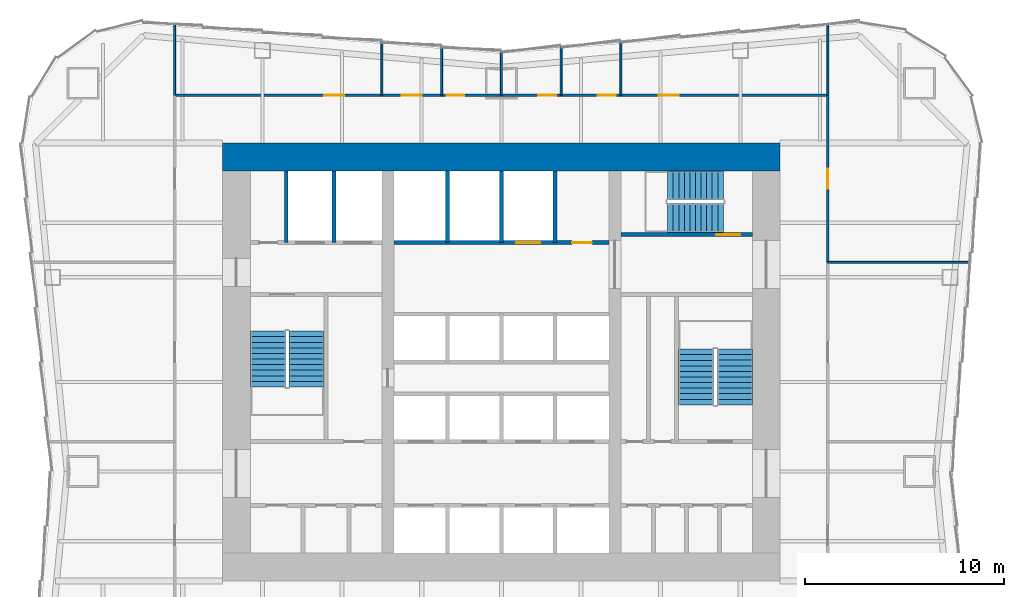
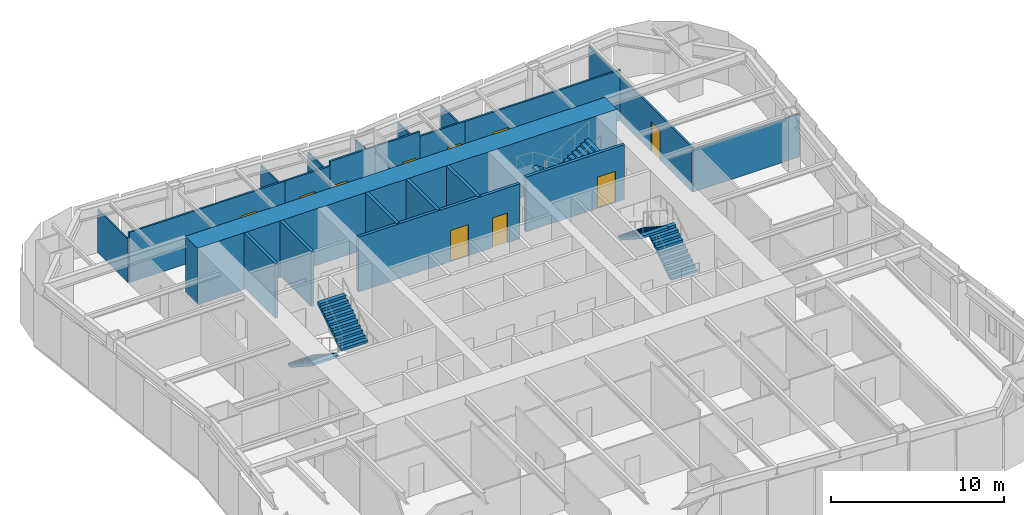
# One storey, part 6 of 8: 23 walls, 10 doors, 6 stair flights, 10 openings, 3 elements without a shape of their own.
"""IFC4 building model written with IfcOpenShell, lengths in metres."""

from ifc_helpers import new_model, si_unit, direction, frame, frame_2d, origin, place, context, subcontext, project, spatial, polyline, rectangle, outline, extrude, material, layer, layer_set, type_object, element, fill, aggregate, save


model = new_model("IFC4")

# Units and contexts
model_context = context("Model", 3, precision=1e-05, world=origin(), true_north=direction((0.0, 1.0)))
body_context = subcontext(model_context, "Body", "Model", "MODEL_VIEW")
ifc_project = project(units=[si_unit("LENGTHUNIT", "METRE"), si_unit("AREAUNIT", "SQUARE_METRE"), si_unit("VOLUMEUNIT", "CUBIC_METRE"), si_unit("PLANEANGLEUNIT", "RADIAN"), si_unit("MASSUNIT", "GRAM", prefix="KILO")], contexts=[model_context])

# Site, building, storey
site_placement = place(None, origin())
site = spatial("IfcSite", under=ifc_project, at=site_placement, CompositionType="ELEMENT")
building_placement = place(site_placement, origin())
building = spatial("IfcBuilding", under=site, at=building_placement, Name="Verdant Reach Tower", CompositionType="ELEMENT")
storey_placement = place(building_placement, frame((0.0, 0.0, 42.0)))
storey = spatial("IfcBuildingStorey", under=building, at=storey_placement, Name="L09", CompositionType="ELEMENT", Elevation=42.0)

# Wall, openings, doors
ifc_material_1 = material(Name="Concrete C40/50", Category="concrete")
ifc_layer_1 = layer(ifc_material_1, 0.199951171875)
ifc_layer_set_1 = layer_set([ifc_layer_1], Name="CO-WALL-SHAFT")
wall_type_1 = type_object("IfcWallType", Name="CO-WALL-SHAFT", PredefinedType="PARTITIONING", material=ifc_layer_set_1)
wall_1_placement = place(storey_placement, frame((-5.39990234375, 34.0, 0.0), z_axis=(0.0, 0.0, 1.0), x_axis=(1.0, 0.0, 0.0)))
wall_1 = element("IfcWall", 1, at=wall_1_placement, inside=storey, type_object=wall_type_1, Name="Lift shaft wall, L09", PredefinedType="PARTITIONING", context=body_context, shape_type="SweptSolid", body=[
    extrude(rectangle(XDim=10.7998046875, YDim=0.199951171875, at=frame_2d((5.39990234375, 0.0))), origin(), (0.0, 0.0, 1.0), 3.8701171875),
])
opening_1_placement = place(wall_1_placement, frame((6.14990234375, 0.0, 0.0)))
opening_1 = element("IfcOpeningElement", 2, at=opening_1_placement, cuts=wall_1, Name="Opening LD-SL1", PredefinedType="OPENING", context=body_context, shape_type="SweptSolid", body=[
    extrude(rectangle(XDim=1.199951171875, YDim=2.199951171875, at=frame_2d((0.60009765625, 1.10009765625))), frame((0.0, 0.10986328125, 0.0), z_axis=(0.0, -1.0, 0.0), x_axis=(1.0, 0.0, 0.0)), (0.0, 0.0, 1.0), 0.219970703125),
])
opening_2_placement = place(wall_1_placement, frame((8.949951171875, 0.0, 0.0)))
opening_2 = element("IfcOpeningElement", 3, at=opening_2_placement, cuts=wall_1, Name="Opening CD", PredefinedType="OPENING", context=body_context, shape_type="SweptSolid", body=[
    extrude(rectangle(XDim=1.0, YDim=2.10009765625, at=frame_2d((0.5, 1.050048828125))), frame((0.0, 0.10986328125, 0.0), z_axis=(0.0, -1.0, 0.0), x_axis=(1.0, 0.0, 0.0)), (0.0, 0.0, 1.0), 0.219970703125),
])
ifc_material_2 = material(Name="Stainless steel", Category="steel")
door_type_1 = type_object("IfcDoorType", Name="CO-DOOR-LANDING", OperationType="SLIDING_TO_LEFT", PredefinedType="DOOR", material=ifc_material_2)
door_1_placement = place(opening_1_placement, origin())
door_1 = element("IfcDoor", 4, at=door_1_placement, inside=storey, type_object=door_type_1, Name="Landing door SL1, L09", OperationType="SLIDING_TO_LEFT", OverallHeight=2.199951171875, OverallWidth=1.199951171875, PredefinedType="DOOR", context=body_context, shape_type="SweptSolid", body=[
    extrude(rectangle(XDim=1.199951171875, YDim=2.199951171875, at=frame_2d((0.60009765625, 1.10009765625))), frame((0.0, 0.02490234375, 0.0), z_axis=(0.0, -1.0, 0.0), x_axis=(1.0, 0.0, 0.0)), (0.0, 0.0, 1.0), 0.050048828125),
])
fill(opening_1, door_1)
ifc_material_3 = material(Name="Timber", Category="wood")
door_type_2 = type_object("IfcDoorType", Name="CO-DOOR-ROOM", OperationType="NOTDEFINED", PredefinedType="DOOR", material=ifc_material_3)
door_2_placement = place(opening_2_placement, origin())
door_2 = element("IfcDoor", 5, at=door_2_placement, inside=storey, type_object=door_type_2, Name="Core room door, L09", OperationType="SINGLE_SWING_LEFT", OverallHeight=2.10009765625, OverallWidth=1.0, PredefinedType="DOOR", context=body_context, shape_type="SweptSolid", body=[
    extrude(rectangle(XDim=1.0, YDim=2.10009765625, at=frame_2d((0.5, 1.050048828125))), frame((0.0, 0.02490234375, 0.0), z_axis=(0.0, -1.0, 0.0), x_axis=(1.0, 0.0, 0.0)), (0.0, 0.0, 1.0), 0.050048828125),
])
fill(opening_2, door_2)

# Walls
for number, where, z_axis, x_axis, name in (
    (6, (-10.800048828125, 34.0, 0.0), (0.0, 0.0, 1.0), (0.0, 1.0, 0.0), "Lift shaft wall, L09"),
    (7, (-8.39990234375, 34.0, 0.0), (0.0, 0.0, 1.0), (0.0, 1.0, 0.0), "Lift shaft wall, L09"),
    (8, (-2.699951171875, 34.0, 0.0), (0.0, 0.0, 1.0), (0.0, 1.0, 0.0), "Lift shaft wall, L09"),
    (9, (0.0, 34.0, 0.0), (0.0, 0.0, 1.0), (0.0, 1.0, 0.0), "Lift shaft wall, L09"),
    (10, (2.699951171875, 34.0, 0.0), (0.0, 0.0, 1.0), (0.0, 1.0, 0.0), "Lift shaft wall, L09"),
):
    element("IfcWall", number, at=place(storey_placement, frame(where, z_axis=z_axis, x_axis=x_axis)), inside=storey, type_object=wall_type_1, Name=name, PredefinedType="PARTITIONING", context=body_context, shape_type="SweptSolid", body=[
        extrude(rectangle(XDim=3.60009765625, YDim=0.199951171875, at=frame_2d((1.800048828125, 0.0))), origin(), (0.0, 0.0, 1.0), 3.8701171875),
    ])

# Wall, opening, door
ifc_layer_2 = layer(ifc_material_1, 0.199951171875)
ifc_layer_set_2 = layer_set([ifc_layer_2], Name="CO-WALL-STAIR")
wall_type_2 = type_object("IfcWallType", Name="CO-WALL-STAIR", PredefinedType="PARTITIONING", material=ifc_layer_set_2)
wall_2_placement = place(storey_placement, frame((6.0, 34.39990234375, 0.0), z_axis=(0.0, 0.0, 1.0), x_axis=(1.0, 0.0, 0.0)))
wall_2 = element("IfcWall", 11, at=wall_2_placement, inside=storey, type_object=wall_type_2, Name="Stair enclosure wall, L09", PredefinedType="PARTITIONING", context=body_context, shape_type="SweptSolid", body=[
    extrude(rectangle(XDim=6.60009765625, YDim=0.199951171875, at=frame_2d((3.300048828125, 0.0))), origin(), (0.0, 0.0, 1.0), 3.8701171875),
])
opening_3_placement = place(wall_2_placement, frame((4.800048828125, 0.0, 0.0)))
opening_3 = element("IfcOpeningElement", 12, at=opening_3_placement, cuts=wall_2, Name="Opening SD", PredefinedType="OPENING", context=body_context, shape_type="SweptSolid", body=[
    extrude(rectangle(XDim=1.199951171875, YDim=2.199951171875, at=frame_2d((0.60009765625, 1.10009765625))), frame((0.0, 0.10986328125, 0.0), z_axis=(0.0, -1.0, 0.0), x_axis=(1.0, 0.0, 0.0)), (0.0, 0.0, 1.0), 0.219970703125),
])
ifc_material_4 = material(Name="Steel", Category="steel")
door_type_3 = type_object("IfcDoorType", Name="CO-DOOR-STAIR", OperationType="NOTDEFINED", PredefinedType="DOOR", material=ifc_material_4)
door_3_placement = place(opening_3_placement, origin())
door_3 = element("IfcDoor", 13, at=door_3_placement, inside=storey, type_object=door_type_3, Name="Stair door, L09", OperationType="SINGLE_SWING_RIGHT", OverallHeight=2.199951171875, OverallWidth=1.199951171875, PredefinedType="DOOR", context=body_context, shape_type="SweptSolid", body=[
    extrude(rectangle(XDim=1.199951171875, YDim=2.199951171875, at=frame_2d((0.60009765625, 1.10009765625))), frame((0.0, 0.02490234375, 0.0), z_axis=(0.0, -1.0, 0.0), x_axis=(1.0, 0.0, 0.0)), (0.0, 0.0, 1.0), 0.050048828125),
])
fill(opening_3, door_3)

# Walls
ifc_material_5 = material(Name="Gypsum board on steel studs", Category="steel")
ifc_layer_3 = layer(ifc_material_5, 0.10009765625)
ifc_layer_set_3 = layer_set([ifc_layer_3], Name="FL-W1 Partition 100")
wall_type_3 = type_object("IfcWallType", Name="FL-W1 Partition 100", PredefinedType="PARTITIONING", material=ifc_layer_set_3)
wall_3_placement = place(storey_placement, frame((-6.0, 41.39990234375, 0.0), z_axis=(0.0, 0.0, 1.0), x_axis=(0.0, 1.0, 0.0)))
element("IfcWall", 14, at=wall_3_placement, inside=storey, type_object=wall_type_3, Name="Partition 09.37", PredefinedType="PARTITIONING", context=body_context, shape_type="SweptSolid", body=[
    extrude(rectangle(XDim=2.68017578125, YDim=0.10009765625, at=frame_2d((1.340087890625, 0.0))), origin(), (0.0, 0.0, 1.0), 3.0400390625),
])
wall_4_placement = place(storey_placement, frame((-16.39990234375, 44.94677734375, 0.0), z_axis=(0.0, 0.0, 1.0), x_axis=(0.0, -1.0, 0.0)))
element("IfcWall", 15, at=wall_4_placement, inside=storey, type_object=wall_type_3, Name="Partition 09.38", PredefinedType="PARTITIONING", context=body_context, shape_type="SweptSolid", body=[
    extrude(rectangle(XDim=3.55078125, YDim=0.10009765625, at=frame_2d((1.775390625, 0.0))), origin(), (0.0, 0.0, 1.0), 3.0400390625),
])
wall_5_placement = place(storey_placement, frame((-3.0, 41.39990234375, 0.0), z_axis=(0.0, 0.0, 1.0), x_axis=(0.0, 1.0, 0.0)))
element("IfcWall", 16, at=wall_5_placement, inside=storey, type_object=wall_type_3, Name="Partition 09.39", PredefinedType="PARTITIONING", context=body_context, shape_type="SweptSolid", body=[
    extrude(rectangle(XDim=2.43017578125, YDim=0.10009765625, at=frame_2d((1.215087890625, 0.0))), origin(), (0.0, 0.0, 1.0), 3.0400390625),
])
wall_6_placement = place(storey_placement, frame((0.0, 41.39990234375, 0.0), z_axis=(0.0, 0.0, 1.0), x_axis=(0.0, 1.0, 0.0)))
element("IfcWall", 17, at=wall_6_placement, inside=storey, type_object=wall_type_3, Name="Partition 09.40", PredefinedType="PARTITIONING", context=body_context, shape_type="SweptSolid", body=[
    extrude(rectangle(XDim=2.18017578125, YDim=0.10009765625, at=frame_2d((1.090087890625, 0.0))), origin(), (0.0, 0.0, 1.0), 3.0400390625),
])
wall_7_placement = place(storey_placement, frame((3.0, 41.39990234375, 0.0), z_axis=(0.0, 0.0, 1.0), x_axis=(0.0, 1.0, 0.0)))
element("IfcWall", 18, at=wall_7_placement, inside=storey, type_object=wall_type_3, Name="Partition 09.41", PredefinedType="PARTITIONING", context=body_context, shape_type="SweptSolid", body=[
    extrude(rectangle(XDim=2.43017578125, YDim=0.10009765625, at=frame_2d((1.215087890625, 0.0))), origin(), (0.0, 0.0, 1.0), 3.0400390625),
])
wall_8_placement = place(storey_placement, frame((6.0, 41.39990234375, 0.0), z_axis=(0.0, 0.0, 1.0), x_axis=(0.0, 1.0, 0.0)))
element("IfcWall", 19, at=wall_8_placement, inside=storey, type_object=wall_type_3, Name="Partition 09.42", PredefinedType="PARTITIONING", context=body_context, shape_type="SweptSolid", body=[
    extrude(rectangle(XDim=2.68017578125, YDim=0.10009765625, at=frame_2d((1.340087890625, 0.0))), origin(), (0.0, 0.0, 1.0), 3.0400390625),
])
wall_9_placement = place(storey_placement, frame((16.39990234375, 41.39599609375, 0.0), z_axis=(0.0, 0.0, 1.0), x_axis=(0.0, 1.0, 0.0)))
element("IfcWall", 20, at=wall_9_placement, inside=storey, type_object=wall_type_3, Name="Partition 09.43", PredefinedType="PARTITIONING", context=body_context, shape_type="SweptSolid", body=[
    extrude(rectangle(XDim=3.55078125, YDim=0.10009765625, at=frame_2d((1.775390625, 0.0))), origin(), (0.0, 0.0, 1.0), 3.0400390625),
])
wall_10_placement = place(storey_placement, frame((23.534423828125, 33.0, 0.0), z_axis=(0.0, 0.0, 1.0), x_axis=(-1.0, 0.0, 0.0)))
element("IfcWall", 21, at=wall_10_placement, inside=storey, type_object=wall_type_3, Name="Partition 09.47", PredefinedType="PARTITIONING", context=body_context, shape_type="SweptSolid", body=[
    extrude(rectangle(XDim=7.134521484375, YDim=0.10009765625, at=frame_2d((3.5673828125, 0.0))), origin(), (0.0, 0.0, 1.0), 3.0400390625),
])

# Wall, opening, door
ifc_material_6 = material(Name="Gypsum board on steel studs, fire rated", Category="steel")
ifc_layer_4 = layer(ifc_material_6, 0.125)
ifc_layer_set_4 = layer_set([ifc_layer_4], Name="FL-W2 Corridor wall 125")
wall_type_4 = type_object("IfcWallType", Name="FL-W2 Corridor wall 125", PredefinedType="PARTITIONING", material=ifc_layer_set_4)
wall_11_placement = place(storey_placement, frame((-16.39990234375, 41.39990234375, 0.0), z_axis=(0.0, 0.0, 1.0), x_axis=(1.0, 0.0, 0.0)))
wall_11 = element("IfcWall", 22, at=wall_11_placement, inside=storey, type_object=wall_type_4, Name="Partition 09.07", PredefinedType="PARTITIONING", context=body_context, shape_type="SweptSolid", body=[
    extrude(rectangle(XDim=10.39990234375, YDim=0.125, at=frame_2d((5.199951171875, 0.0))), origin(), (0.0, 0.0, 1.0), 3.5400390625),
])
opening_4_placement = place(wall_11_placement, frame((7.5, 0.0, 0.0)))
opening_4 = element("IfcOpeningElement", 23, at=opening_4_placement, cuts=wall_11, Name="Opening D2", PredefinedType="OPENING", context=body_context, shape_type="SweptSolid", body=[
    extrude(rectangle(XDim=1.0, YDim=2.10009765625, at=frame_2d((0.5, 1.050048828125))), frame((0.0, 0.072509765625, 0.0), z_axis=(0.0, -1.0, 0.0), x_axis=(1.0, 0.0, 0.0)), (0.0, 0.0, 1.0), 0.14501953125),
])
ifc_material_7 = material(Name="Timber door leaf, fire rated", Category="wood")
door_type_4 = type_object("IfcDoorType", Name="FL-D2 Entrance door 1000x2100 FD30", OperationType="NOTDEFINED", PredefinedType="DOOR", material=ifc_material_7)
door_4_placement = place(opening_4_placement, origin())
door_4 = element("IfcDoor", 24, at=door_4_placement, inside=storey, type_object=door_type_4, Name="Door 09-005", OperationType="SINGLE_SWING_RIGHT", OverallHeight=2.10009765625, OverallWidth=1.0, PredefinedType="DOOR", context=body_context, shape_type="SweptSolid", body=[
    extrude(rectangle(XDim=1.0, YDim=2.10009765625, at=frame_2d((0.5, 1.050048828125))), frame((0.0, 0.02490234375, 0.0), z_axis=(0.0, -1.0, 0.0), x_axis=(1.0, 0.0, 0.0)), (0.0, 0.0, 1.0), 0.050048828125),
])
fill(opening_4, door_4)

wall_12_placement = place(storey_placement, frame((-6.0, 41.39990234375, 0.0), z_axis=(0.0, 0.0, 1.0), x_axis=(1.0, 0.0, 0.0)))
wall_12 = element("IfcWall", 25, at=wall_12_placement, inside=storey, type_object=wall_type_4, Name="Partition 09.08", PredefinedType="PARTITIONING", context=body_context, shape_type="SweptSolid", body=[
    extrude(rectangle(XDim=3.0, YDim=0.125, at=frame_2d((1.5, 0.0))), origin(), (0.0, 0.0, 1.0), 3.5400390625),
])
opening_5_placement = place(wall_12_placement, frame((1.0, 0.0, 0.0)))
opening_5 = element("IfcOpeningElement", 26, at=opening_5_placement, cuts=wall_12, Name="Opening D2", PredefinedType="OPENING", context=body_context, shape_type="SweptSolid", body=[
    extrude(rectangle(XDim=1.0, YDim=2.10009765625, at=frame_2d((0.5, 1.050048828125))), frame((0.0, 0.072509765625, 0.0), z_axis=(0.0, -1.0, 0.0), x_axis=(1.0, 0.0, 0.0)), (0.0, 0.0, 1.0), 0.14501953125),
])
door_5_placement = place(opening_5_placement, origin())
door_5 = element("IfcDoor", 27, at=door_5_placement, inside=storey, type_object=door_type_4, Name="Door 09-006", OperationType="SINGLE_SWING_RIGHT", OverallHeight=2.10009765625, OverallWidth=1.0, PredefinedType="DOOR", context=body_context, shape_type="SweptSolid", body=[
    extrude(rectangle(XDim=1.0, YDim=2.10009765625, at=frame_2d((0.5, 1.050048828125))), frame((0.0, 0.02490234375, 0.0), z_axis=(0.0, -1.0, 0.0), x_axis=(1.0, 0.0, 0.0)), (0.0, 0.0, 1.0), 0.050048828125),
])
fill(opening_5, door_5)

wall_13_placement = place(storey_placement, frame((-3.0, 41.39990234375, 0.0), z_axis=(0.0, 0.0, 1.0), x_axis=(1.0, 0.0, 0.0)))
wall_13 = element("IfcWall", 28, at=wall_13_placement, inside=storey, type_object=wall_type_4, Name="Partition 09.09", PredefinedType="PARTITIONING", context=body_context, shape_type="SweptSolid", body=[
    extrude(rectangle(XDim=3.0, YDim=0.125, at=frame_2d((1.5, 0.0))), origin(), (0.0, 0.0, 1.0), 3.8701171875),
])
opening_6_placement = place(wall_13_placement, frame((0.25, 0.0, 0.0)))
opening_6 = element("IfcOpeningElement", 29, at=opening_6_placement, cuts=wall_13, Name="Opening D1", PredefinedType="OPENING", context=body_context, shape_type="SweptSolid", body=[
    extrude(rectangle(XDim=0.89990234375, YDim=2.10009765625, at=frame_2d((0.449951171875, 1.050048828125))), frame((0.0, 0.072509765625, 0.0), z_axis=(0.0, -1.0, 0.0), x_axis=(1.0, 0.0, 0.0)), (0.0, 0.0, 1.0), 0.14501953125),
])
ifc_material_8 = material(Name="Painted timber door leaf", Category="wood")
door_type_5 = type_object("IfcDoorType", Name="FL-D1 Door 900x2100", OperationType="NOTDEFINED", PredefinedType="DOOR", material=ifc_material_8)
door_6_placement = place(opening_6_placement, origin())
door_6 = element("IfcDoor", 30, at=door_6_placement, inside=storey, type_object=door_type_5, Name="Door 09-007", OperationType="SINGLE_SWING_LEFT", OverallHeight=2.10009765625, OverallWidth=0.89990234375, PredefinedType="DOOR", context=body_context, shape_type="SweptSolid", body=[
    extrude(rectangle(XDim=0.89990234375, YDim=2.10009765625, at=frame_2d((0.449951171875, 1.050048828125))), frame((0.0, 0.02490234375, 0.0), z_axis=(0.0, -1.0, 0.0), x_axis=(1.0, 0.0, 0.0)), (0.0, 0.0, 1.0), 0.050048828125),
])
fill(opening_6, door_6)

wall_14_placement = place(storey_placement, frame((0.0, 41.39990234375, 0.0), z_axis=(0.0, 0.0, 1.0), x_axis=(1.0, 0.0, 0.0)))
wall_14 = element("IfcWall", 31, at=wall_14_placement, inside=storey, type_object=wall_type_4, Name="Partition 09.10", PredefinedType="PARTITIONING", context=body_context, shape_type="SweptSolid", body=[
    extrude(rectangle(XDim=3.0, YDim=0.125, at=frame_2d((1.5, 0.0))), origin(), (0.0, 0.0, 1.0), 3.8701171875),
])
opening_7_placement = place(wall_14_placement, frame((1.85009765625, 0.0, 0.0)))
opening_7 = element("IfcOpeningElement", 32, at=opening_7_placement, cuts=wall_14, Name="Opening D1", PredefinedType="OPENING", context=body_context, shape_type="SweptSolid", body=[
    extrude(rectangle(XDim=0.89990234375, YDim=2.10009765625, at=frame_2d((0.449951171875, 1.050048828125))), frame((0.0, 0.072509765625, 0.0), z_axis=(0.0, -1.0, 0.0), x_axis=(1.0, 0.0, 0.0)), (0.0, 0.0, 1.0), 0.14501953125),
])
door_7_placement = place(opening_7_placement, origin())
door_7 = element("IfcDoor", 33, at=door_7_placement, inside=storey, type_object=door_type_5, Name="Door 09-008", OperationType="SINGLE_SWING_RIGHT", OverallHeight=2.10009765625, OverallWidth=0.89990234375, PredefinedType="DOOR", context=body_context, shape_type="SweptSolid", body=[
    extrude(rectangle(XDim=0.89990234375, YDim=2.10009765625, at=frame_2d((0.449951171875, 1.050048828125))), frame((0.0, 0.02490234375, 0.0), z_axis=(0.0, -1.0, 0.0), x_axis=(1.0, 0.0, 0.0)), (0.0, 0.0, 1.0), 0.050048828125),
])
fill(opening_7, door_7)

wall_15_placement = place(storey_placement, frame((3.0, 41.39990234375, 0.0), z_axis=(0.0, 0.0, 1.0), x_axis=(1.0, 0.0, 0.0)))
wall_15 = element("IfcWall", 34, at=wall_15_placement, inside=storey, type_object=wall_type_4, Name="Partition 09.11", PredefinedType="PARTITIONING", context=body_context, shape_type="SweptSolid", body=[
    extrude(rectangle(XDim=3.0, YDim=0.125, at=frame_2d((1.5, 0.0))), origin(), (0.0, 0.0, 1.0), 3.5400390625),
])
opening_8_placement = place(wall_15_placement, frame((1.85009765625, 0.0, 0.0)))
opening_8 = element("IfcOpeningElement", 35, at=opening_8_placement, cuts=wall_15, Name="Opening D1", PredefinedType="OPENING", context=body_context, shape_type="SweptSolid", body=[
    extrude(rectangle(XDim=0.89990234375, YDim=2.10009765625, at=frame_2d((0.449951171875, 1.050048828125))), frame((0.0, 0.072509765625, 0.0), z_axis=(0.0, -1.0, 0.0), x_axis=(1.0, 0.0, 0.0)), (0.0, 0.0, 1.0), 0.14501953125),
])
door_8_placement = place(opening_8_placement, origin())
door_8 = element("IfcDoor", 36, at=door_8_placement, inside=storey, type_object=door_type_5, Name="Door 09-009", OperationType="SINGLE_SWING_RIGHT", OverallHeight=2.10009765625, OverallWidth=0.89990234375, PredefinedType="DOOR", context=body_context, shape_type="SweptSolid", body=[
    extrude(rectangle(XDim=0.89990234375, YDim=2.10009765625, at=frame_2d((0.449951171875, 1.050048828125))), frame((0.0, 0.02490234375, 0.0), z_axis=(0.0, -1.0, 0.0), x_axis=(1.0, 0.0, 0.0)), (0.0, 0.0, 1.0), 0.050048828125),
])
fill(opening_8, door_8)

wall_16_placement = place(storey_placement, frame((6.0, 41.39990234375, 0.0), z_axis=(0.0, 0.0, 1.0), x_axis=(1.0, 0.0, 0.0)))
wall_16 = element("IfcWall", 37, at=wall_16_placement, inside=storey, type_object=wall_type_4, Name="Partition 09.12", PredefinedType="PARTITIONING", context=body_context, shape_type="SweptSolid", body=[
    extrude(rectangle(XDim=10.39990234375, YDim=0.125, at=frame_2d((5.199951171875, 0.0))), origin(), (0.0, 0.0, 1.0), 3.5400390625),
])
opening_9_placement = place(wall_16_placement, frame((1.89990234375, 0.0, 0.0)))
opening_9 = element("IfcOpeningElement", 38, at=opening_9_placement, cuts=wall_16, Name="Opening D2", PredefinedType="OPENING", context=body_context, shape_type="SweptSolid", body=[
    extrude(rectangle(XDim=1.0, YDim=2.10009765625, at=frame_2d((0.5, 1.050048828125))), frame((0.0, 0.072509765625, 0.0), z_axis=(0.0, -1.0, 0.0), x_axis=(1.0, 0.0, 0.0)), (0.0, 0.0, 1.0), 0.14501953125),
])
door_9_placement = place(opening_9_placement, origin())
door_9 = element("IfcDoor", 39, at=door_9_placement, inside=storey, type_object=door_type_4, Name="Door 09-010", OperationType="SINGLE_SWING_LEFT", OverallHeight=2.10009765625, OverallWidth=1.0, PredefinedType="DOOR", context=body_context, shape_type="SweptSolid", body=[
    extrude(rectangle(XDim=1.0, YDim=2.10009765625, at=frame_2d((0.5, 1.050048828125))), frame((0.0, 0.02490234375, 0.0), z_axis=(0.0, -1.0, 0.0), x_axis=(1.0, 0.0, 0.0)), (0.0, 0.0, 1.0), 0.050048828125),
])
fill(opening_9, door_9)

wall_17_placement = place(storey_placement, frame((16.39990234375, 41.404052734375, 0.0), z_axis=(0.0, 0.0, 1.0), x_axis=(0.0, -1.0, 0.0)))
wall_17 = element("IfcWall", 40, at=wall_17_placement, inside=storey, type_object=wall_type_4, Name="Partition 09.18", PredefinedType="PARTITIONING", context=body_context, shape_type="SweptSolid", body=[
    extrude(rectangle(XDim=8.404052734375, YDim=0.125, at=frame_2d((4.2021484375, 0.0))), origin(), (0.0, 0.0, 1.0), 3.139892578125),
])
opening_10_placement = place(wall_17_placement, frame((3.701904296875, 0.0, 0.0)))
opening_10 = element("IfcOpeningElement", 41, at=opening_10_placement, cuts=wall_17, Name="Opening D2", PredefinedType="OPENING", context=body_context, shape_type="SweptSolid", body=[
    extrude(rectangle(XDim=1.0, YDim=2.10009765625, at=frame_2d((0.5, 1.050048828125))), frame((0.0, 0.072509765625, 0.0), z_axis=(0.0, -1.0, 0.0), x_axis=(1.0, 0.0, 0.0)), (0.0, 0.0, 1.0), 0.14501953125),
])
door_10_placement = place(opening_10_placement, origin())
door_10 = element("IfcDoor", 42, at=door_10_placement, inside=storey, type_object=door_type_4, Name="Door 09-016", OperationType="SINGLE_SWING_RIGHT", OverallHeight=2.10009765625, OverallWidth=1.0, PredefinedType="DOOR", context=body_context, shape_type="SweptSolid", body=[
    extrude(rectangle(XDim=1.0, YDim=2.10009765625, at=frame_2d((0.5, 1.050048828125))), frame((0.0, 0.02490234375, 0.0), z_axis=(0.0, -1.0, 0.0), x_axis=(1.0, 0.0, 0.0)), (0.0, 0.0, 1.0), 0.050048828125),
])
fill(opening_10, door_10)

# Wall
ifc_material_9 = material(Name="Concrete C70/85", Category="concrete")
ifc_layer_5 = layer(ifc_material_9, 1.39990234375)
ifc_layer_set_5 = layer_set([ifc_layer_5], Name="ST-CORE-WALL-1400")
wall_type_5 = type_object("IfcWallType", Name="ST-CORE-WALL-1400", PredefinedType="SHEAR", material=ifc_layer_set_5)
wall_18_placement = place(storey_placement, frame((-14.0, 38.300048828125, -0.1298828125), z_axis=(0.0, 0.0, 1.0), x_axis=(1.0, 0.0, 0.0)))
element("IfcWall", 43, at=wall_18_placement, inside=storey, type_object=wall_type_5, Name="Core wall N, L09", PredefinedType="SHEAR", context=body_context, shape_type="SweptSolid", body=[
    extrude(rectangle(XDim=28.0, YDim=1.39990234375, at=frame_2d((14.0, 0.0))), origin(), (0.0, 0.0, 1.0), 4.0),
])

# Stair, stair flights
stair_type = type_object("IfcStairType", Name="CO-STAIR", PredefinedType="HALF_TURN_STAIR", material=ifc_material_1)
stair_1_placement = place(storey_placement, origin())
stair_1 = element("IfcStair", 44, at=stair_1_placement, inside=storey, type_object=stair_type, Name="L09 Exit stair 1", PredefinedType="HALF_TURN_STAIR")
stair_flight_type = type_object("IfcStairFlightType", Name="CO-STAIR-FLIGHT", PredefinedType="STRAIGHT", material=ifc_material_1)
stair_flight_1_placement = place(storey_placement, frame((-11.72509765625, 29.550048828125, 0.0), z_axis=(0.0, 0.0, 1.0), x_axis=(0.0, -1.0, 0.0)))
stair_flight_1 = element("IfcStairFlight", 45, at=stair_flight_1_placement, type_object=stair_flight_type, Name="ST-1 flight 1", NumberOfRisers=11, NumberOfTreads=10, PredefinedType="STRAIGHT", RiserHeight=0.181818182, TreadLength=0.28, context=body_context, shape_type="SweptSolid", body=[
    extrude(outline(polyline([(0.0, 0.0), (0.0, 0.181884765625), (0.280029296875, 0.181884765625), (0.280029296875, 0.363525390625), (0.56005859375, 0.363525390625), (0.56005859375, 0.54541015625), (0.840087890625, 0.54541015625), (0.840087890625, 0.727294921875), (1.1201171875, 0.727294921875), (1.1201171875, 0.9091796875), (1.39990234375, 0.9091796875), (1.39990234375, 1.0908203125), (1.679931640625, 1.0908203125), (1.679931640625, 1.272705078125), (1.9599609375, 1.272705078125), (1.9599609375, 1.45458984375), (2.239990234375, 1.45458984375), (2.239990234375, 1.636474609375), (2.52001953125, 1.636474609375), (2.52001953125, 1.818115234375), (2.800048828125, 1.818115234375), (2.800048828125, 2.0), (2.800048828125, 1.639404296875), (0.275146484375, 0.0), (0.0, 0.0)])), frame((0.0, 0.875, 0.0), z_axis=(0.0, -1.0, 0.0), x_axis=(1.0, 0.0, 0.0)), (0.0, 0.0, 1.0), 1.75),
])
stair_flight_2_placement = place(storey_placement, frame((-9.77490234375, 26.75, 2.0), z_axis=(0.0, 0.0, 1.0), x_axis=(0.0, 1.0, 0.0)))
stair_flight_2 = element("IfcStairFlight", 46, at=stair_flight_2_placement, type_object=stair_flight_type, Name="ST-1 flight 2", NumberOfRisers=11, NumberOfTreads=10, PredefinedType="STRAIGHT", RiserHeight=0.181818182, TreadLength=0.28, context=body_context, shape_type="SweptSolid", body=[
    extrude(outline(polyline([(0.0, 0.0), (0.0, 0.181884765625), (0.280029296875, 0.181884765625), (0.280029296875, 0.363525390625), (0.56005859375, 0.363525390625), (0.56005859375, 0.54541015625), (0.840087890625, 0.54541015625), (0.840087890625, 0.727294921875), (1.1201171875, 0.727294921875), (1.1201171875, 0.9091796875), (1.39990234375, 0.9091796875), (1.39990234375, 1.0908203125), (1.679931640625, 1.0908203125), (1.679931640625, 1.272705078125), (1.9599609375, 1.272705078125), (1.9599609375, 1.45458984375), (2.239990234375, 1.45458984375), (2.239990234375, 1.636474609375), (2.52001953125, 1.636474609375), (2.52001953125, 1.818115234375), (2.800048828125, 1.818115234375), (2.800048828125, 2.0), (2.800048828125, 1.639404296875), (0.275146484375, 0.0), (0.0, 0.0)])), frame((0.0, 0.875, 0.0), z_axis=(0.0, -1.0, 0.0), x_axis=(1.0, 0.0, 0.0)), (0.0, 0.0, 1.0), 1.75),
])
aggregate(stair_1, [stair_flight_1, stair_flight_2])

stair_2_placement = place(storey_placement, origin())
stair_2 = element("IfcStair", 47, at=stair_2_placement, inside=storey, type_object=stair_type, Name="L09 Exit stair 2", PredefinedType="HALF_TURN_STAIR")
stair_flight_3_placement = place(storey_placement, frame((11.72509765625, 25.85009765625, 0.0), z_axis=(0.0, 0.0, 1.0), x_axis=(0.0, 1.0, 0.0)))
stair_flight_3 = element("IfcStairFlight", 48, at=stair_flight_3_placement, type_object=stair_flight_type, Name="ST-2 flight 1", NumberOfRisers=11, NumberOfTreads=10, PredefinedType="STRAIGHT", RiserHeight=0.181818182, TreadLength=0.28, context=body_context, shape_type="SweptSolid", body=[
    extrude(outline(polyline([(0.0, 0.0), (0.0, 0.181884765625), (0.280029296875, 0.181884765625), (0.280029296875, 0.363525390625), (0.56005859375, 0.363525390625), (0.56005859375, 0.54541015625), (0.840087890625, 0.54541015625), (0.840087890625, 0.727294921875), (1.1201171875, 0.727294921875), (1.1201171875, 0.9091796875), (1.39990234375, 0.9091796875), (1.39990234375, 1.0908203125), (1.679931640625, 1.0908203125), (1.679931640625, 1.272705078125), (1.9599609375, 1.272705078125), (1.9599609375, 1.45458984375), (2.239990234375, 1.45458984375), (2.239990234375, 1.636474609375), (2.52001953125, 1.636474609375), (2.52001953125, 1.818115234375), (2.800048828125, 1.818115234375), (2.800048828125, 2.0), (2.800048828125, 1.639404296875), (0.275146484375, 0.0), (0.0, 0.0)])), frame((0.0, 0.875, 0.0), z_axis=(0.0, -1.0, 0.0), x_axis=(1.0, 0.0, 0.0)), (0.0, 0.0, 1.0), 1.75),
])
stair_flight_4_placement = place(storey_placement, frame((9.77490234375, 28.64990234375, 2.0), z_axis=(0.0, 0.0, 1.0), x_axis=(0.0, -1.0, 0.0)))
stair_flight_4 = element("IfcStairFlight", 49, at=stair_flight_4_placement, type_object=stair_flight_type, Name="ST-2 flight 2", NumberOfRisers=11, NumberOfTreads=10, PredefinedType="STRAIGHT", RiserHeight=0.181818182, TreadLength=0.28, context=body_context, shape_type="SweptSolid", body=[
    extrude(outline(polyline([(0.0, 0.0), (0.0, 0.181884765625), (0.280029296875, 0.181884765625), (0.280029296875, 0.363525390625), (0.56005859375, 0.363525390625), (0.56005859375, 0.54541015625), (0.840087890625, 0.54541015625), (0.840087890625, 0.727294921875), (1.1201171875, 0.727294921875), (1.1201171875, 0.9091796875), (1.39990234375, 0.9091796875), (1.39990234375, 1.0908203125), (1.679931640625, 1.0908203125), (1.679931640625, 1.272705078125), (1.9599609375, 1.272705078125), (1.9599609375, 1.45458984375), (2.239990234375, 1.45458984375), (2.239990234375, 1.636474609375), (2.52001953125, 1.636474609375), (2.52001953125, 1.818115234375), (2.800048828125, 1.818115234375), (2.800048828125, 2.0), (2.800048828125, 1.639404296875), (0.275146484375, 0.0), (0.0, 0.0)])), frame((0.0, 0.875, 0.0), z_axis=(0.0, -1.0, 0.0), x_axis=(1.0, 0.0, 0.0)), (0.0, 0.0, 1.0), 1.75),
])
aggregate(stair_2, [stair_flight_3, stair_flight_4])

stair_3_placement = place(storey_placement, origin())
stair_3 = element("IfcStair", 50, at=stair_3_placement, inside=storey, type_object=stair_type, Name="L09 Exit stair 3", PredefinedType="HALF_TURN_STAIR")
stair_flight_5_placement = place(storey_placement, frame((11.14990234375, 36.875, 0.0), z_axis=(0.0, 0.0, 1.0), x_axis=(-1.0, 0.0, 0.0)))
stair_flight_5 = element("IfcStairFlight", 51, at=stair_flight_5_placement, type_object=stair_flight_type, Name="ST-3 flight 1", NumberOfRisers=11, NumberOfTreads=10, PredefinedType="STRAIGHT", RiserHeight=0.181818182, TreadLength=0.28, context=body_context, shape_type="SweptSolid", body=[
    extrude(outline(polyline([(0.0, 0.0), (0.0, 0.181884765625), (0.280029296875, 0.181884765625), (0.280029296875, 0.363525390625), (0.56005859375, 0.363525390625), (0.56005859375, 0.54541015625), (0.840087890625, 0.54541015625), (0.840087890625, 0.727294921875), (1.1201171875, 0.727294921875), (1.1201171875, 0.9091796875), (1.39990234375, 0.9091796875), (1.39990234375, 1.0908203125), (1.679931640625, 1.0908203125), (1.679931640625, 1.272705078125), (1.9599609375, 1.272705078125), (1.9599609375, 1.45458984375), (2.239990234375, 1.45458984375), (2.239990234375, 1.636474609375), (2.52001953125, 1.636474609375), (2.52001953125, 1.818115234375), (2.800048828125, 1.818115234375), (2.800048828125, 2.0), (2.800048828125, 1.639404296875), (0.275146484375, 0.0), (0.0, 0.0)])), frame((0.0, 0.72509765625, 0.0), z_axis=(0.0, -1.0, 0.0), x_axis=(1.0, 0.0, 0.0)), (0.0, 0.0, 1.0), 1.449951171875),
])
stair_flight_6_placement = place(storey_placement, frame((8.35009765625, 35.22509765625, 2.0), z_axis=(0.0, 0.0, 1.0), x_axis=(1.0, 0.0, 0.0)))
stair_flight_6 = element("IfcStairFlight", 52, at=stair_flight_6_placement, type_object=stair_flight_type, Name="ST-3 flight 2", NumberOfRisers=11, NumberOfTreads=10, PredefinedType="STRAIGHT", RiserHeight=0.181818182, TreadLength=0.28, context=body_context, shape_type="SweptSolid", body=[
    extrude(outline(polyline([(0.0, 0.0), (0.0, 0.181884765625), (0.280029296875, 0.181884765625), (0.280029296875, 0.363525390625), (0.56005859375, 0.363525390625), (0.56005859375, 0.54541015625), (0.840087890625, 0.54541015625), (0.840087890625, 0.727294921875), (1.1201171875, 0.727294921875), (1.1201171875, 0.9091796875), (1.39990234375, 0.9091796875), (1.39990234375, 1.0908203125), (1.679931640625, 1.0908203125), (1.679931640625, 1.272705078125), (1.9599609375, 1.272705078125), (1.9599609375, 1.45458984375), (2.239990234375, 1.45458984375), (2.239990234375, 1.636474609375), (2.52001953125, 1.636474609375), (2.52001953125, 1.818115234375), (2.800048828125, 1.818115234375), (2.800048828125, 2.0), (2.800048828125, 1.639404296875), (0.275146484375, 0.0), (0.0, 0.0)])), frame((0.0, 0.72509765625, 0.0), z_axis=(0.0, -1.0, 0.0), x_axis=(1.0, 0.0, 0.0)), (0.0, 0.0, 1.0), 1.449951171875),
])
aggregate(stair_3, [stair_flight_5, stair_flight_6])

save(model, "model.ifc")
